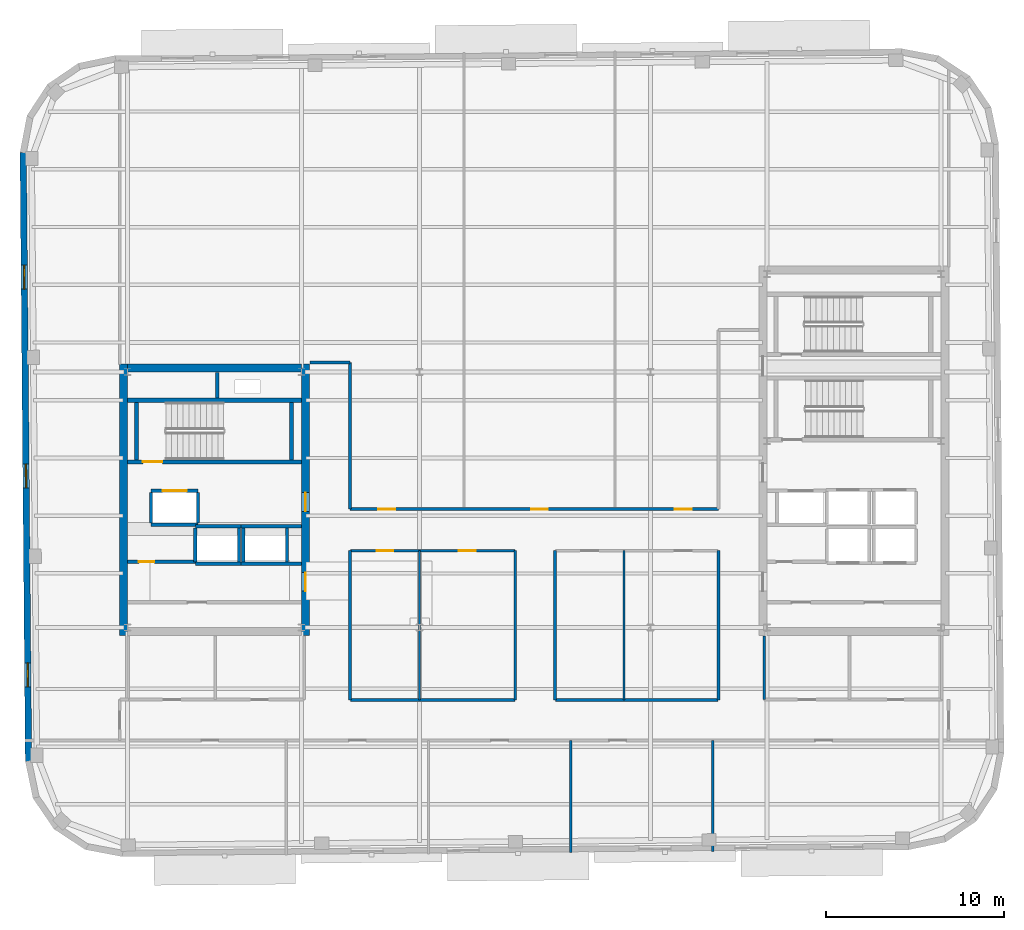
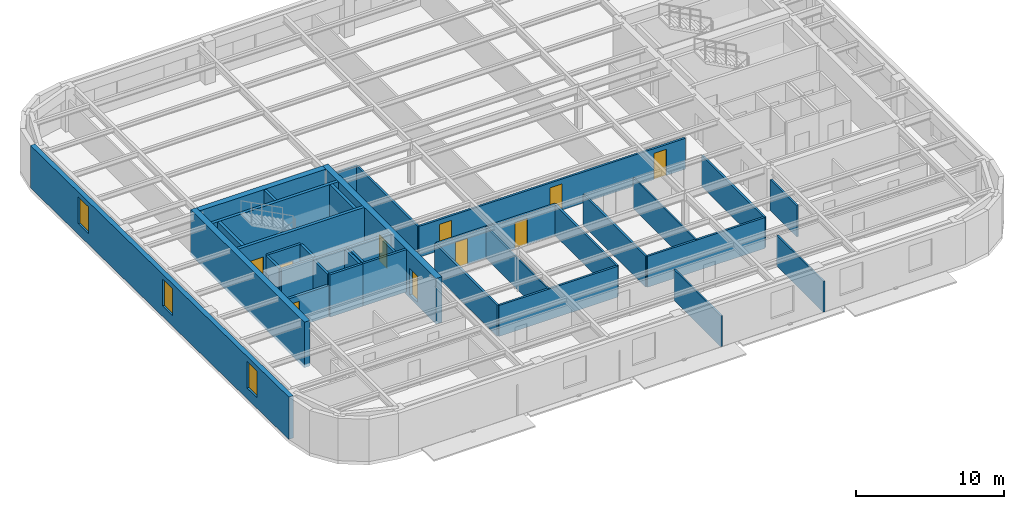
# One storey, part 7 of 13: 37 walls, 10 doors, 3 windows, 13 openings.
"""IFC4 building model written with IfcOpenShell, lengths in metres."""

from ifc_helpers import new_model, si_unit, direction, frame, frame_2d, origin, place, context, subcontext, project, spatial, rectangle, extrude, material, layer, layer_set, type_object, element, fill, save


model = new_model("IFC4")

# Units and contexts
model_context = context("Model", 3, precision=1e-05, world=origin(), true_north=direction((0.0, 1.0)))
body_context = subcontext(model_context, "Body", "Model", "MODEL_VIEW")
ifc_project = project(units=[si_unit("LENGTHUNIT", "METRE"), si_unit("AREAUNIT", "SQUARE_METRE"), si_unit("VOLUMEUNIT", "CUBIC_METRE"), si_unit("PLANEANGLEUNIT", "RADIAN"), si_unit("MASSUNIT", "GRAM", prefix="KILO")], contexts=[model_context])

# Site, building, storey
site_placement = place(None, origin())
site = spatial("IfcSite", under=ifc_project, at=site_placement, CompositionType="ELEMENT")
building_placement = place(site_placement, origin())
building = spatial("IfcBuilding", under=site, at=building_placement, Name="Kolvaren Arena Tower", CompositionType="ELEMENT")
storey_placement = place(building_placement, frame((0.0, 0.0, 286.14990234375)))
storey = spatial("IfcBuildingStorey", under=building, at=storey_placement, Name="L70", CompositionType="ELEMENT", Elevation=286.14990234375)

# Wall, openings, doors
ifc_material_1 = material(Name="Gypsum board acoustic assembly", Category="gypsum")
ifc_layer_1 = layer(ifc_material_1, 0.159912109375)
ifc_layer_set_1 = layer_set([ifc_layer_1], Name="Gypsum board acoustic assembly")
wall_type_1 = type_object("IfcWallType", Name="CORR-160", PredefinedType="PARTITIONING", material=ifc_layer_set_1)
wall_1_placement = place(storey_placement, frame((27.080078125, 26.1201171875, 0.0), z_axis=(0.0, 0.0, 1.0), x_axis=(1.0, 0.0, 0.0)))
wall_1 = element("IfcWall", 1, at=wall_1_placement, inside=storey, type_object=wall_type_1, Name="Interior Partition Wall (L70)", PredefinedType="PARTITIONING", context=body_context, shape_type="SweptSolid", body=[
    extrude(rectangle(XDim=20.739990234375, YDim=0.159912109375, at=frame_2d((10.3701171875, 0.0))), origin(), (0.0, 0.0, 1.0), 2.5400390625),
])
opening_1_placement = place(wall_1_placement, frame((1.594970703125, 0.0, 0.0)))
opening_1 = element("IfcOpeningElement", 2, at=opening_1_placement, cuts=wall_1, Name="Opening D05", PredefinedType="OPENING", context=body_context, shape_type="SweptSolid", body=[
    extrude(rectangle(XDim=0.949951171875, YDim=2.14990234375, at=frame_2d((0.47509765625, 1.074951171875))), frame((0.0, 0.08984375, 0.0), z_axis=(0.0, -1.0, 0.0), x_axis=(1.0, 0.0, 0.0)), (0.0, 0.0, 1.0), 0.179931640625),
])
opening_2_placement = place(wall_1_placement, frame((10.195068359375, 0.0, 0.0)))
opening_2 = element("IfcOpeningElement", 3, at=opening_2_placement, cuts=wall_1, Name="Opening D05", PredefinedType="OPENING", context=body_context, shape_type="SweptSolid", body=[
    extrude(rectangle(XDim=0.949951171875, YDim=2.14990234375, at=frame_2d((0.47509765625, 1.074951171875))), frame((0.0, 0.08984375, 0.0), z_axis=(0.0, -1.0, 0.0), x_axis=(1.0, 0.0, 0.0)), (0.0, 0.0, 1.0), 0.179931640625),
])
opening_3_placement = place(wall_1_placement, frame((18.294921875, 0.0, 0.0)))
opening_3 = element("IfcOpeningElement", 4, at=opening_3_placement, cuts=wall_1, Name="Opening D05", PredefinedType="OPENING", context=body_context, shape_type="SweptSolid", body=[
    extrude(rectangle(XDim=0.949951171875, YDim=2.14990234375, at=frame_2d((0.47509765625, 1.074951171875))), frame((0.0, 0.08984375, 0.0), z_axis=(0.0, -1.0, 0.0), x_axis=(1.0, 0.0, 0.0)), (0.0, 0.0, 1.0), 0.179931640625),
])
ifc_material_2 = material(Name="Solid-core oak acoustic office door", Category="wood")
door_type_1 = type_object("IfcDoorType", Name="DOOR-OF-095", OperationType="NOTDEFINED", PredefinedType="DOOR", material=ifc_material_2)
door_1_placement = place(opening_1_placement, origin())
door_1 = element("IfcDoor", 5, at=door_1_placement, inside=storey, type_object=door_type_1, Name="Open Plan Office Door (L70)", OperationType="SINGLE_SWING_LEFT", OverallHeight=2.14990234375, OverallWidth=0.949951171875, PredefinedType="DOOR", context=body_context, shape_type="SweptSolid", body=[
    extrude(rectangle(XDim=0.949951171875, YDim=2.14990234375, at=frame_2d((0.47509765625, 1.074951171875))), frame((0.0, 0.02490234375, 0.0), z_axis=(0.0, -1.0, 0.0), x_axis=(1.0, 0.0, 0.0)), (0.0, 0.0, 1.0), 0.050048828125),
])
fill(opening_1, door_1)
door_2_placement = place(opening_2_placement, origin())
door_2 = element("IfcDoor", 6, at=door_2_placement, inside=storey, type_object=door_type_1, Name="Wellness Room Door (L70)", OperationType="SINGLE_SWING_RIGHT", OverallHeight=2.14990234375, OverallWidth=0.949951171875, PredefinedType="DOOR", context=body_context, shape_type="SweptSolid", body=[
    extrude(rectangle(XDim=0.949951171875, YDim=2.14990234375, at=frame_2d((0.47509765625, 1.074951171875))), frame((0.0, 0.02490234375, 0.0), z_axis=(0.0, -1.0, 0.0), x_axis=(1.0, 0.0, 0.0)), (0.0, 0.0, 1.0), 0.050048828125),
])
fill(opening_2, door_2)
door_3_placement = place(opening_3_placement, origin())
door_3 = element("IfcDoor", 7, at=door_3_placement, inside=storey, type_object=door_type_1, Name="Technical Engineering Office Door (L70)", OperationType="SINGLE_SWING_LEFT", OverallHeight=2.14990234375, OverallWidth=0.949951171875, PredefinedType="DOOR", context=body_context, shape_type="SweptSolid", body=[
    extrude(rectangle(XDim=0.949951171875, YDim=2.14990234375, at=frame_2d((0.47509765625, 1.074951171875))), frame((0.0, 0.02490234375, 0.0), z_axis=(0.0, -1.0, 0.0), x_axis=(1.0, 0.0, 0.0)), (0.0, 0.0, 1.0), 0.050048828125),
])
fill(opening_3, door_3)

# Walls
wall_2_placement = place(storey_placement, frame((27.080078125, 26.1201171875, 0.0), z_axis=(0.0, 0.0, 1.0), x_axis=(0.0, 1.0, 0.0)))
element("IfcWall", 8, at=wall_2_placement, inside=storey, type_object=wall_type_1, Name="Interior Partition Wall (L70)", PredefinedType="PARTITIONING", context=body_context, shape_type="SweptSolid", body=[
    extrude(rectangle(XDim=8.259765625, YDim=0.159912109375, at=frame_2d((4.1298828125, 0.0))), origin(), (0.0, 0.0, 1.0), 2.5400390625),
])
wall_3_placement = place(storey_placement, frame((24.820068359375, 34.3798828125, 0.0), z_axis=(0.0, 0.0, 1.0), x_axis=(1.0, 0.0, 0.0)))
element("IfcWall", 9, at=wall_3_placement, inside=storey, type_object=wall_type_1, Name="Interior Partition Wall (L70)", PredefinedType="PARTITIONING", context=body_context, shape_type="SweptSolid", body=[
    extrude(rectangle(XDim=2.260009765625, YDim=0.159912109375, at=frame_2d((1.1298828125, 0.0))), origin(), (0.0, 0.0, 1.0), 2.5400390625),
])

# Wall, openings, doors
wall_4_placement = place(storey_placement, frame((27.10009765625, 23.780029296875, 0.0), z_axis=(0.0, 0.0, 1.0), x_axis=(1.0, 0.0, 0.0)))
wall_4 = element("IfcWall", 10, at=wall_4_placement, inside=storey, type_object=wall_type_1, Name="Interior Partition Wall (L70)", PredefinedType="PARTITIONING", context=body_context, shape_type="SweptSolid", body=[
    extrude(rectangle(XDim=9.260009765625, YDim=0.159912109375, at=frame_2d((4.6298828125, 0.0))), origin(), (0.0, 0.0, 1.0), 2.5400390625),
])
opening_4_placement = place(wall_4_placement, frame((1.47509765625, 0.0, 0.0)))
opening_4 = element("IfcOpeningElement", 11, at=opening_4_placement, cuts=wall_4, Name="Opening D05", PredefinedType="OPENING", context=body_context, shape_type="SweptSolid", body=[
    extrude(rectangle(XDim=0.949951171875, YDim=2.14990234375, at=frame_2d((0.47509765625, 1.074951171875))), frame((0.0, 0.08984375, 0.0), z_axis=(0.0, -1.0, 0.0), x_axis=(1.0, 0.0, 0.0)), (0.0, 0.0, 1.0), 0.179931640625),
])
opening_5_placement = place(wall_4_placement, frame((6.10498046875, 0.0, 0.0)))
opening_5 = element("IfcOpeningElement", 12, at=opening_5_placement, cuts=wall_4, Name="Opening D05", PredefinedType="OPENING", context=body_context, shape_type="SweptSolid", body=[
    extrude(rectangle(XDim=0.949951171875, YDim=2.14990234375, at=frame_2d((0.47509765625, 1.074951171875))), frame((0.0, 0.08984375, 0.0), z_axis=(0.0, -1.0, 0.0), x_axis=(1.0, 0.0, 0.0)), (0.0, 0.0, 1.0), 0.179931640625),
])
door_4_placement = place(opening_4_placement, origin())
door_4 = element("IfcDoor", 13, at=door_4_placement, inside=storey, type_object=door_type_1, Name="Open Plan Office Door (L70)", OperationType="SINGLE_SWING_RIGHT", OverallHeight=2.14990234375, OverallWidth=0.949951171875, PredefinedType="DOOR", context=body_context, shape_type="SweptSolid", body=[
    extrude(rectangle(XDim=0.949951171875, YDim=2.14990234375, at=frame_2d((0.47509765625, 1.074951171875))), frame((0.0, 0.02490234375, 0.0), z_axis=(0.0, -1.0, 0.0), x_axis=(1.0, 0.0, 0.0)), (0.0, 0.0, 1.0), 0.050048828125),
])
fill(opening_4, door_4)
door_5_placement = place(opening_5_placement, origin())
door_5 = element("IfcDoor", 14, at=door_5_placement, inside=storey, type_object=door_type_1, Name="Boardroom Door (L70)", OperationType="SINGLE_SWING_LEFT", OverallHeight=2.14990234375, OverallWidth=0.949951171875, PredefinedType="DOOR", context=body_context, shape_type="SweptSolid", body=[
    extrude(rectangle(XDim=0.949951171875, YDim=2.14990234375, at=frame_2d((0.47509765625, 1.074951171875))), frame((0.0, 0.02490234375, 0.0), z_axis=(0.0, -1.0, 0.0), x_axis=(1.0, 0.0, 0.0)), (0.0, 0.0, 1.0), 0.050048828125),
])
fill(opening_5, door_5)

# Walls
wall_5_placement = place(storey_placement, frame((27.10009765625, 15.3798828125, 0.0), z_axis=(0.0, 0.0, 1.0), x_axis=(1.0, 0.0, 0.0)))
element("IfcWall", 15, at=wall_5_placement, inside=storey, type_object=wall_type_1, Name="Interior Partition Wall (L70)", PredefinedType="PARTITIONING", context=body_context, shape_type="SweptSolid", body=[
    extrude(rectangle(XDim=9.260009765625, YDim=0.159912109375, at=frame_2d((4.6298828125, 0.0))), origin(), (0.0, 0.0, 1.0), 2.5400390625),
])
wall_6_placement = place(storey_placement, frame((38.639892578125, 15.3798828125, 0.0), z_axis=(0.0, 0.0, 1.0), x_axis=(1.0, 0.0, 0.0)))
element("IfcWall", 16, at=wall_6_placement, inside=storey, type_object=wall_type_1, Name="Interior Partition Wall (L70)", PredefinedType="PARTITIONING", context=body_context, shape_type="SweptSolid", body=[
    extrude(rectangle(XDim=9.16015625, YDim=0.159912109375, at=frame_2d((4.580078125, 0.0))), origin(), (0.0, 0.0, 1.0), 2.5400390625),
])
for number, where, z_axis, x_axis, name in (
    (17, (36.3798828125, 15.3798828125, 0.0), (0.0, 0.0, 1.0), (0.0, 1.0, 0.0), "Interior Partition Wall (L70)"),
    (18, (38.6201171875, 15.3798828125, 0.0), (0.0, 0.0, 1.0), (0.0, 1.0, 0.0), "Interior Partition Wall (L70)"),
    (19, (27.080078125, 15.3798828125, 0.0), (0.0, 0.0, 1.0), (0.0, 1.0, 0.0), "Interior Partition Wall (L70)"),
    (20, (47.820068359375, 15.3798828125, 0.0), (0.0, 0.0, 1.0), (0.0, 1.0, 0.0), "Interior Partition Wall (L70)"),
):
    element("IfcWall", number, at=place(storey_placement, frame(where, z_axis=z_axis, x_axis=x_axis)), inside=storey, type_object=wall_type_1, Name=name, PredefinedType="PARTITIONING", context=body_context, shape_type="SweptSolid", body=[
        extrude(rectangle(XDim=8.400146484375, YDim=0.159912109375, at=frame_2d((4.2001953125, 0.0))), origin(), (0.0, 0.0, 1.0), 2.5400390625),
    ])
ifc_material_3 = material(Name="Concrete 55 MPa", Category="concrete")
ifc_layer_2 = layer(ifc_material_3, 0.449951171875)
ifc_layer_set_2 = layer_set([ifc_layer_2], Name="Concrete 55 MPa")
wall_type_2 = type_object("IfcWallType", Name="CWALL-450", PredefinedType="SHEAR", material=ifc_layer_set_2)
wall_7_placement = place(storey_placement, frame((14.324951171875, 19.0, -0.27001953125), z_axis=(0.0, 0.0, 1.0), x_axis=(0.0, 1.0, 0.0)))
element("IfcWall", 21, at=wall_7_placement, inside=storey, type_object=wall_type_2, Name="Core Shear Wall WC-WEST (L70)", PredefinedType="SHEAR", context=body_context, shape_type="SweptSolid", body=[
    extrude(rectangle(XDim=15.300048828125, YDim=0.449951171875, at=frame_2d((7.64990234375, 0.0))), origin(), (0.0, 0.0, 1.0), 3.75),
])

# Wall, openings, doors
wall_8_placement = place(storey_placement, frame((24.574951171875, 19.0, -0.27001953125), z_axis=(0.0, 0.0, 1.0), x_axis=(0.0, 1.0, 0.0)))
wall_8 = element("IfcWall", 22, at=wall_8_placement, inside=storey, type_object=wall_type_2, Name="Core Shear Wall WC-EAST (L70)", PredefinedType="SHEAR", context=body_context, shape_type="SweptSolid", body=[
    extrude(rectangle(XDim=15.300048828125, YDim=0.449951171875, at=frame_2d((7.64990234375, 0.0))), origin(), (0.0, 0.0, 1.0), 3.75),
])
opening_6_placement = place(wall_8_placement, frame((2.5, 0.0, 0.27001953125)))
opening_6 = element("IfcOpeningElement", 23, at=opening_6_placement, cuts=wall_8, Name="Opening D04", PredefinedType="OPENING", context=body_context, shape_type="SweptSolid", body=[
    extrude(rectangle(XDim=1.050048828125, YDim=2.14990234375, at=frame_2d((0.52490234375, 1.074951171875))), frame((0.0, 0.23486328125, 0.0), z_axis=(0.0, -1.0, 0.0), x_axis=(1.0, 0.0, 0.0)), (0.0, 0.0, 1.0), 0.469970703125),
])
opening_7_placement = place(wall_8_placement, frame((7.0, 0.0, 0.27001953125)))
opening_7 = element("IfcOpeningElement", 24, at=opening_7_placement, cuts=wall_8, Name="Opening D04", PredefinedType="OPENING", context=body_context, shape_type="SweptSolid", body=[
    extrude(rectangle(XDim=1.050048828125, YDim=2.14990234375, at=frame_2d((0.52490234375, 1.074951171875))), frame((0.0, 0.23486328125, 0.0), z_axis=(0.0, -1.0, 0.0), x_axis=(1.0, 0.0, 0.0)), (0.0, 0.0, 1.0), 0.469970703125),
])
ifc_material_4 = material(Name="Fire-rated steel lobby door", Category="steel")
door_type_2 = type_object("IfcDoorType", Name="DOOR-FF-105", OperationType="NOTDEFINED", PredefinedType="DOOR", material=ifc_material_4)
door_6_placement = place(opening_6_placement, origin())
door_6 = element("IfcDoor", 25, at=door_6_placement, inside=storey, type_object=door_type_2, Name="West Lift Lobby Fire Door (L70)", OperationType="SINGLE_SWING_LEFT", OverallHeight=2.14990234375, OverallWidth=1.050048828125, PredefinedType="DOOR", context=body_context, shape_type="SweptSolid", body=[
    extrude(rectangle(XDim=1.050048828125, YDim=2.14990234375, at=frame_2d((0.52490234375, 1.074951171875))), frame((0.0, 0.02490234375, 0.0), z_axis=(0.0, -1.0, 0.0), x_axis=(1.0, 0.0, 0.0)), (0.0, 0.0, 1.0), 0.050048828125),
])
fill(opening_6, door_6)
door_7_placement = place(opening_7_placement, origin())
door_7 = element("IfcDoor", 26, at=door_7_placement, inside=storey, type_object=door_type_2, Name="West Firefighter Vestibule Door (L70)", OperationType="SINGLE_SWING_RIGHT", OverallHeight=2.14990234375, OverallWidth=1.050048828125, PredefinedType="DOOR", context=body_context, shape_type="SweptSolid", body=[
    extrude(rectangle(XDim=1.050048828125, YDim=2.14990234375, at=frame_2d((0.52490234375, 1.074951171875))), frame((0.0, 0.02490234375, 0.0), z_axis=(0.0, -1.0, 0.0), x_axis=(1.0, 0.0, 0.0)), (0.0, 0.0, 1.0), 0.050048828125),
])
fill(opening_7, door_7)

# Wall
wall_9_placement = place(storey_placement, frame((14.550048828125, 34.074951171875, -0.27001953125), z_axis=(0.0, 0.0, 1.0), x_axis=(1.0, 0.0, 0.0)))
element("IfcWall", 27, at=wall_9_placement, inside=storey, type_object=wall_type_2, Name="Core Shear Wall WC-NORTH (L70)", PredefinedType="SHEAR", context=body_context, shape_type="SweptSolid", body=[
    extrude(rectangle(XDim=9.800048828125, YDim=0.449951171875, at=frame_2d((4.89990234375, 0.0))), origin(), (0.0, 0.0, 1.0), 3.75),
])

# Wall, openings, windows
ifc_material_5 = material(Name="Precast concrete C50/60", Category="concrete")
ifc_layer_3 = layer(ifc_material_5, 0.360107421875)
ifc_layer_set_3 = layer_set([ifc_layer_3], Name="Precast concrete C50/60")
wall_type_3 = type_object("IfcWallType", Name="EXT-PIER2", PredefinedType="SOLIDWALL", material=ifc_layer_set_3)
wall_10_placement = place(storey_placement, frame((8.980712890625, 11.911865234375, 0.0), z_axis=(0.0, 0.0, 1.0), x_axis=(-0.008726453825, 0.999961923777, 0.0)))
wall_10 = element("IfcWall", 28, at=wall_10_placement, inside=storey, type_object=wall_type_3, Name="Exterior Precast Masonry-Frame Wall (L70)", PredefinedType="SOLIDWALL", context=body_context, shape_type="SweptSolid", body=[
    extrude(rectangle(XDim=34.2998046875, YDim=0.360107421875, at=frame_2d((17.14990234375, 0.0))), origin(), (0.0, 0.0, 1.0), 3.47998046875),
])
opening_8_placement = place(wall_10_placement, frame((4.199951171875, 0.0, 0.8798828125)))
opening_8 = element("IfcOpeningElement", 29, at=opening_8_placement, cuts=wall_10, Name="Opening W04", PredefinedType="OPENING", context=body_context, shape_type="SweptSolid", body=[
    extrude(rectangle(XDim=1.35009765625, YDim=2.199951171875, at=frame_2d((0.675048828125, 1.10009765625))), frame((0.0, 0.18994140625, 0.0), z_axis=(0.0, -1.0, 0.0), x_axis=(1.0, 0.0, 0.0)), (0.0, 0.0, 1.0), 0.380126953125),
])
opening_9_placement = place(wall_10_placement, frame((15.39990234375, 0.0, 0.8798828125)))
opening_9 = element("IfcOpeningElement", 30, at=opening_9_placement, cuts=wall_10, Name="Opening W04", PredefinedType="OPENING", context=body_context, shape_type="SweptSolid", body=[
    extrude(rectangle(XDim=1.35009765625, YDim=2.199951171875, at=frame_2d((0.675048828125, 1.10009765625))), frame((0.0, 0.18994140625, 0.0), z_axis=(0.0, -1.0, 0.0), x_axis=(1.0, 0.0, 0.0)), (0.0, 0.0, 1.0), 0.380126953125),
])
opening_10_placement = place(wall_10_placement, frame((26.60009765625, 0.0, 0.8798828125)))
opening_10 = element("IfcOpeningElement", 31, at=opening_10_placement, cuts=wall_10, Name="Opening W04", PredefinedType="OPENING", context=body_context, shape_type="SweptSolid", body=[
    extrude(rectangle(XDim=1.35009765625, YDim=2.199951171875, at=frame_2d((0.675048828125, 1.10009765625))), frame((0.0, 0.18994140625, 0.0), z_axis=(0.0, -1.0, 0.0), x_axis=(1.0, 0.0, 0.0)), (0.0, 0.0, 1.0), 0.380126953125),
])
ifc_material_6 = material(Name="Triple-glazed curved-facet corner window", Category="glass")
window_type = type_object("IfcWindowType", Name="WIN-CRN-A", PartitioningType="SINGLE_PANEL", PredefinedType="WINDOW", material=ifc_material_6)
window_1_placement = place(opening_8_placement, origin())
window_1 = element("IfcWindow", 32, at=window_1_placement, inside=storey, type_object=window_type, Name="End-Wall Punched Window (L70)", OverallHeight=2.199951171875, OverallWidth=1.35009765625, PartitioningType="SINGLE_PANEL", PredefinedType="WINDOW", context=body_context, shape_type="SweptSolid", body=[
    extrude(rectangle(XDim=1.35009765625, YDim=2.199951171875, at=frame_2d((0.675048828125, 1.10009765625))), frame((0.0, 0.030029296875, 0.0), z_axis=(0.0, -1.0, 0.0), x_axis=(1.0, 0.0, 0.0)), (0.0, 0.0, 1.0), 0.06005859375),
])
fill(opening_8, window_1)
window_2_placement = place(opening_9_placement, origin())
window_2 = element("IfcWindow", 33, at=window_2_placement, inside=storey, type_object=window_type, Name="End-Wall Punched Window (L70)", OverallHeight=2.199951171875, OverallWidth=1.35009765625, PartitioningType="SINGLE_PANEL", PredefinedType="WINDOW", context=body_context, shape_type="SweptSolid", body=[
    extrude(rectangle(XDim=1.35009765625, YDim=2.199951171875, at=frame_2d((0.675048828125, 1.10009765625))), frame((0.0, 0.030029296875, 0.0), z_axis=(0.0, -1.0, 0.0), x_axis=(1.0, 0.0, 0.0)), (0.0, 0.0, 1.0), 0.06005859375),
])
fill(opening_9, window_2)
window_3_placement = place(opening_10_placement, origin())
window_3 = element("IfcWindow", 34, at=window_3_placement, inside=storey, type_object=window_type, Name="End-Wall Punched Window (L70)", OverallHeight=2.199951171875, OverallWidth=1.35009765625, PartitioningType="SINGLE_PANEL", PredefinedType="WINDOW", context=body_context, shape_type="SweptSolid", body=[
    extrude(rectangle(XDim=1.35009765625, YDim=2.199951171875, at=frame_2d((0.675048828125, 1.10009765625))), frame((0.0, 0.030029296875, 0.0), z_axis=(0.0, -1.0, 0.0), x_axis=(1.0, 0.0, 0.0)), (0.0, 0.0, 1.0), 0.06005859375),
])
fill(opening_10, window_3)

# Wall, opening, door
ifc_material_7 = material(Name="Concrete 40 MPa", Category="concrete")
ifc_layer_4 = layer(ifc_material_7, 0.199951171875)
ifc_layer_set_4 = layer_set([ifc_layer_4], Name="Concrete 40 MPa")
wall_type_4 = type_object("IfcWallType", Name="LOBBY-200", PredefinedType="SOLIDWALL", material=ifc_layer_set_4)
wall_11_placement = place(storey_placement, frame((14.550048828125, 23.159912109375, 0.0), z_axis=(0.0, 0.0, 1.0), x_axis=(1.0, 0.0, 0.0)))
wall_11 = element("IfcWall", 35, at=wall_11_placement, inside=storey, type_object=wall_type_4, Name="Core Shaft Wall (L70)", PredefinedType="SOLIDWALL", context=body_context, shape_type="SweptSolid", body=[
    extrude(rectangle(XDim=3.820068359375, YDim=0.199951171875, at=frame_2d((1.91015625, 0.0))), origin(), (0.0, 0.0, 1.0), 2.5400390625),
])
opening_11_placement = place(wall_11_placement, frame((0.64990234375, 0.0, 0.0)))
opening_11 = element("IfcOpeningElement", 36, at=opening_11_placement, cuts=wall_11, Name="Opening D09", PredefinedType="OPENING", context=body_context, shape_type="SweptSolid", body=[
    extrude(rectangle(XDim=0.860107421875, YDim=2.050048828125, at=frame_2d((0.43017578125, 1.02490234375))), frame((0.0, 0.10986328125, 0.0), z_axis=(0.0, -1.0, 0.0), x_axis=(1.0, 0.0, 0.0)), (0.0, 0.0, 1.0), 0.219970703125),
])
ifc_material_8 = material(Name="Fire-rated steel riser access door", Category="steel")
door_type_3 = type_object("IfcDoorType", Name="DOOR-RS-086", OperationType="NOTDEFINED", PredefinedType="DOOR", material=ifc_material_8)
door_8_placement = place(opening_11_placement, origin())
door_8 = element("IfcDoor", 37, at=door_8_placement, inside=storey, type_object=door_type_3, Name="West Document Archive Riser Door (L70)", OperationType="SINGLE_SWING_RIGHT", OverallHeight=2.050048828125, OverallWidth=0.860107421875, PredefinedType="DOOR", context=body_context, shape_type="SweptSolid", body=[
    extrude(rectangle(XDim=0.860107421875, YDim=2.050048828125, at=frame_2d((0.43017578125, 1.02490234375))), frame((0.0, 0.02490234375, 0.0), z_axis=(0.0, -1.0, 0.0), x_axis=(1.0, 0.0, 0.0)), (0.0, 0.0, 1.0), 0.050048828125),
])
fill(opening_11, door_8)

# Walls
ifc_material_9 = material(Name="Gypsum board partition assembly", Category="gypsum")
ifc_layer_5 = layer(ifc_material_9, 0.114990234375)
ifc_layer_set_5 = layer_set([ifc_layer_5], Name="Gypsum board partition assembly")
wall_type_5 = type_object("IfcWallType", Name="PART-115", PredefinedType="PARTITIONING", material=ifc_layer_set_5)
for number, where, z_axis, x_axis, name in (
    (38, (31.0, 15.3798828125, 0.0), (0.0, 0.0, 1.0), (0.0, 1.0, 0.0), "Interior Partition Wall (L70)"),
    (39, (42.5, 15.3798828125, 0.0), (0.0, 0.0, 1.0), (0.0, 1.0, 0.0), "Interior Partition Wall (L70)"),
):
    element("IfcWall", number, at=place(storey_placement, frame(where, z_axis=z_axis, x_axis=x_axis)), inside=storey, type_object=wall_type_5, Name=name, PredefinedType="PARTITIONING", context=body_context, shape_type="SweptSolid", body=[
        extrude(rectangle(XDim=8.400146484375, YDim=0.114990234375, at=frame_2d((4.2001953125, 0.0))), origin(), (0.0, 0.0, 1.0), 2.5400390625),
    ])
ifc_layer_6 = layer(ifc_material_9, 0.135009765625)
ifc_layer_set_6 = layer_set([ifc_layer_6], Name="Gypsum board partition assembly")
wall_type_6 = type_object("IfcWallType", Name="PART-135", PredefinedType="PARTITIONING", material=ifc_layer_set_6)
wall_12_placement = place(storey_placement, frame((39.5, 6.778076171875, 0.0), z_axis=(0.0, 0.0, 1.0), x_axis=(0.0, 1.0, 0.0)))
element("IfcWall", 40, at=wall_12_placement, inside=storey, type_object=wall_type_6, Name="Interior Partition Wall (L70)", PredefinedType="PARTITIONING", context=body_context, shape_type="SweptSolid", body=[
    extrude(rectangle(XDim=6.322021484375, YDim=0.135009765625, at=frame_2d((3.1611328125, 0.0))), origin(), (0.0, 0.0, 1.0), 2.5400390625),
])
wall_13_placement = place(storey_placement, frame((47.5, 6.847900390625, 0.0), z_axis=(0.0, 0.0, 1.0), x_axis=(0.0, 1.0, 0.0)))
element("IfcWall", 41, at=wall_13_placement, inside=storey, type_object=wall_type_6, Name="Interior Partition Wall (L70)", PredefinedType="PARTITIONING", context=body_context, shape_type="SweptSolid", body=[
    extrude(rectangle(XDim=6.252197265625, YDim=0.135009765625, at=frame_2d((3.1259765625, 0.0))), origin(), (0.0, 0.0, 1.0), 2.5400390625),
])

# Wall, opening, door
ifc_material_10 = material(Name="Concrete 45 MPa", Category="concrete")
ifc_layer_7 = layer(ifc_material_10, 0.25)
ifc_layer_set_7 = layer_set([ifc_layer_7], Name="Concrete 45 MPa")
wall_type_7 = type_object("IfcWallType", Name="SHAFT-250", PredefinedType="SOLIDWALL", material=ifc_layer_set_7)
wall_14_placement = place(storey_placement, frame((24.35009765625, 28.780029296875, 0.0), z_axis=(0.0, 0.0, 1.0), x_axis=(-1.0, 0.0, 0.0)))
wall_14 = element("IfcWall", 42, at=wall_14_placement, inside=storey, type_object=wall_type_7, Name="Core Shaft Wall (L70)", PredefinedType="SOLIDWALL", context=body_context, shape_type="SweptSolid", body=[
    extrude(rectangle(XDim=9.800048828125, YDim=0.239990234375, at=frame_2d((4.89990234375, 0.0))), origin(), (0.0, 0.0, 1.0), 3.47998046875),
])
opening_12_placement = place(wall_14_placement, frame((7.830078125, 0.0, 0.0)))
opening_12 = element("IfcOpeningElement", 43, at=opening_12_placement, cuts=wall_14, Name="Opening D03", PredefinedType="OPENING", context=body_context, shape_type="SweptSolid", body=[
    extrude(rectangle(XDim=1.10009765625, YDim=2.14990234375, at=frame_2d((0.550048828125, 1.074951171875))), frame((0.0, 0.1298828125, 0.0), z_axis=(0.0, -1.0, 0.0), x_axis=(1.0, 0.0, 0.0)), (0.0, 0.0, 1.0), 0.260009765625),
])
ifc_material_11 = material(Name="Fire-rated steel exit stair door", Category="steel")
door_type_4 = type_object("IfcDoorType", Name="DOOR-ST-110", OperationType="NOTDEFINED", PredefinedType="DOOR", material=ifc_material_11)
door_9_placement = place(opening_12_placement, origin())
door_9 = element("IfcDoor", 44, at=door_9_placement, inside=storey, type_object=door_type_4, Name="Stair ST-W1 Fire Door (L70)", OperationType="SINGLE_SWING_RIGHT", OverallHeight=2.14990234375, OverallWidth=1.10009765625, PredefinedType="DOOR", context=body_context, shape_type="SweptSolid", body=[
    extrude(rectangle(XDim=1.10009765625, YDim=2.14990234375, at=frame_2d((0.550048828125, 1.074951171875))), frame((0.0, 0.02490234375, 0.0), z_axis=(0.0, -1.0, 0.0), x_axis=(1.0, 0.0, 0.0)), (0.0, 0.0, 1.0), 0.050048828125),
])
fill(opening_12, door_9)

# Walls
wall_15_placement = place(storey_placement, frame((14.550048828125, 32.25, 0.0), z_axis=(0.0, 0.0, 1.0), x_axis=(1.0, 0.0, 0.0)))
element("IfcWall", 45, at=wall_15_placement, inside=storey, type_object=wall_type_7, Name="Core Shaft Wall (L70)", PredefinedType="SOLIDWALL", context=body_context, shape_type="SweptSolid", body=[
    extrude(rectangle(XDim=9.800048828125, YDim=0.239990234375, at=frame_2d((4.89990234375, 0.0))), origin(), (0.0, 0.0, 1.0), 3.47998046875),
])
for number, where, z_axis, x_axis, name in (
    (46, (15.06005859375, 28.89990234375, 0.0), (0.0, 0.0, 1.0), (0.0, 1.0, 0.0), "Core Shaft Wall (L70)"),
    (47, (23.780029296875, 28.89990234375, 0.0), (0.0, 0.0, 1.0), (0.0, 1.0, 0.0), "Core Shaft Wall (L70)"),
):
    element("IfcWall", number, at=place(storey_placement, frame(where, z_axis=z_axis, x_axis=x_axis)), inside=storey, type_object=wall_type_7, Name=name, PredefinedType="SOLIDWALL", context=body_context, shape_type="SweptSolid", body=[
        extrude(rectangle(XDim=3.22998046875, YDim=0.239990234375, at=frame_2d((1.614990234375, 0.0))), origin(), (0.0, 0.0, 1.0), 3.47998046875),
    ])
wall_16_placement = place(storey_placement, frame((19.60009765625, 32.3701171875, 0.0), z_axis=(0.0, 0.0, 1.0), x_axis=(0.0, 1.0, 0.0)))
element("IfcWall", 48, at=wall_16_placement, inside=storey, type_object=wall_type_7, Name="Core Shaft Wall (L70)", PredefinedType="SOLIDWALL", context=body_context, shape_type="SweptSolid", body=[
    extrude(rectangle(XDim=1.429931640625, YDim=0.199951171875, at=frame_2d((0.71484375, 0.0))), origin(), (0.0, 0.0, 1.0), 3.47998046875),
])
for number, where, z_axis, x_axis, name in (
    (49, (18.3701171875, 25.155029296875, 0.0), (0.0, 0.0, 1.0), (1.0, 0.0, 0.0), "Core Shaft Wall (L70)"),
    (50, (18.3701171875, 23.044921875, 0.0), (0.0, 0.0, 1.0), (1.0, 0.0, 0.0), "Core Shaft Wall (L70)"),
):
    element("IfcWall", number, at=place(storey_placement, frame(where, z_axis=z_axis, x_axis=x_axis)), inside=storey, type_object=wall_type_7, Name=name, PredefinedType="SOLIDWALL", context=body_context, shape_type="SweptSolid", body=[
        extrude(rectangle(XDim=2.579833984375, YDim=0.179931640625, at=frame_2d((1.2900390625, 0.0))), origin(), (0.0, 0.0, 1.0), 3.47998046875),
    ])
for number, where, z_axis, x_axis, name in (
    (51, (18.3701171875, 23.135009765625, 0.0), (0.0, 0.0, 1.0), (0.0, 1.0, 0.0), "Core Shaft Wall (L70)"),
    (52, (20.830078125, 23.135009765625, 0.0), (0.0, 0.0, 1.0), (0.0, 1.0, 0.0), "Core Shaft Wall (L70)"),
):
    element("IfcWall", number, at=place(storey_placement, frame(where, z_axis=z_axis, x_axis=x_axis)), inside=storey, type_object=wall_type_7, Name=name, PredefinedType="SOLIDWALL", context=body_context, shape_type="SweptSolid", body=[
        extrude(rectangle(XDim=1.929931640625, YDim=0.179931640625, at=frame_2d((0.96484375, 0.0))), origin(), (0.0, 0.0, 1.0), 3.47998046875),
    ])
for number, where, z_axis, x_axis, name in (
    (53, (20.949951171875, 25.155029296875, 0.0), (0.0, 0.0, 1.0), (1.0, 0.0, 0.0), "Core Shaft Wall (L70)"),
    (54, (20.949951171875, 23.044921875, 0.0), (0.0, 0.0, 1.0), (1.0, 0.0, 0.0), "Core Shaft Wall (L70)"),
):
    element("IfcWall", number, at=place(storey_placement, frame(where, z_axis=z_axis, x_axis=x_axis)), inside=storey, type_object=wall_type_7, Name=name, PredefinedType="SOLIDWALL", context=body_context, shape_type="SweptSolid", body=[
        extrude(rectangle(XDim=3.400146484375, YDim=0.179931640625, at=frame_2d((1.7001953125, 0.0))), origin(), (0.0, 0.0, 1.0), 3.47998046875),
    ])
for number, where, z_axis, x_axis, name in (
    (55, (21.070068359375, 23.135009765625, 0.0), (0.0, 0.0, 1.0), (0.0, 1.0, 0.0), "Core Shaft Wall (L70)"),
    (56, (23.530029296875, 23.135009765625, 0.0), (0.0, 0.0, 1.0), (0.0, 1.0, 0.0), "Core Shaft Wall (L70)"),
):
    element("IfcWall", number, at=place(storey_placement, frame(where, z_axis=z_axis, x_axis=x_axis)), inside=storey, type_object=wall_type_7, Name=name, PredefinedType="SOLIDWALL", context=body_context, shape_type="SweptSolid", body=[
        extrude(rectangle(XDim=1.929931640625, YDim=0.179931640625, at=frame_2d((0.96484375, 0.0))), origin(), (0.0, 0.0, 1.0), 3.47998046875),
    ])

# Wall, opening, door
wall_17_placement = place(storey_placement, frame((15.8701171875, 27.155029296875, 0.0), z_axis=(0.0, 0.0, 1.0), x_axis=(1.0, 0.0, 0.0)))
wall_17 = element("IfcWall", 57, at=wall_17_placement, inside=storey, type_object=wall_type_7, Name="Core Shaft Wall (L70)", PredefinedType="SOLIDWALL", context=body_context, shape_type="SweptSolid", body=[
    extrude(rectangle(XDim=2.659912109375, YDim=0.179931640625, at=frame_2d((1.330078125, 0.0))), origin(), (0.0, 0.0, 1.0), 3.47998046875),
])
opening_13_placement = place(wall_17_placement, frame((0.655029296875, 0.0, 0.0)))
opening_13 = element("IfcOpeningElement", 58, at=opening_13_placement, cuts=wall_17, Name="Opening LD2", PredefinedType="OPENING", context=body_context, shape_type="SweptSolid", body=[
    extrude(rectangle(XDim=1.35009765625, YDim=2.300048828125, at=frame_2d((0.675048828125, 1.14990234375))), frame((0.0, 0.099853515625, 0.0), z_axis=(0.0, -1.0, 0.0), x_axis=(1.0, 0.0, 0.0)), (0.0, 0.0, 1.0), 0.199951171875),
])
ifc_material_12 = material(Name="Stainless steel firefighter lift landing door", Category="steel")
door_type_5 = type_object("IfcDoorType", Name="DOOR-LD-135", OperationType="DOUBLE_DOOR_SLIDING", PredefinedType="DOOR", material=ifc_material_12)
door_10_placement = place(opening_13_placement, origin())
door_10 = element("IfcDoor", 59, at=door_10_placement, inside=storey, type_object=door_type_5, Name="Firefighter Lift FF-W1 Landing Door (L70)", OperationType="DOUBLE_DOOR_SLIDING", OverallHeight=2.300048828125, OverallWidth=1.35009765625, PredefinedType="DOOR", context=body_context, shape_type="SweptSolid", body=[
    extrude(rectangle(XDim=1.35009765625, YDim=2.300048828125, at=frame_2d((0.675048828125, 1.14990234375))), frame((0.0, 0.02490234375, 0.0), z_axis=(0.0, -1.0, 0.0), x_axis=(1.0, 0.0, 0.0)), (0.0, 0.0, 1.0), 0.050048828125),
])
fill(opening_13, door_10)

# Walls
wall_18_placement = place(storey_placement, frame((15.8701171875, 25.2451171875, 0.0), z_axis=(0.0, 0.0, 1.0), x_axis=(1.0, 0.0, 0.0)))
element("IfcWall", 60, at=wall_18_placement, inside=storey, type_object=wall_type_7, Name="Core Shaft Wall (L70)", PredefinedType="SOLIDWALL", context=body_context, shape_type="SweptSolid", body=[
    extrude(rectangle(XDim=2.659912109375, YDim=0.179931640625, at=frame_2d((1.330078125, 0.0))), origin(), (0.0, 0.0, 1.0), 3.47998046875),
])
for number, where, z_axis, x_axis, name in (
    (61, (15.8701171875, 25.3349609375, 0.0), (0.0, 0.0, 1.0), (0.0, 1.0, 0.0), "Core Shaft Wall (L70)"),
    (62, (18.530029296875, 25.3349609375, 0.0), (0.0, 0.0, 1.0), (0.0, 1.0, 0.0), "Core Shaft Wall (L70)"),
):
    element("IfcWall", number, at=place(storey_placement, frame(where, z_axis=z_axis, x_axis=x_axis)), inside=storey, type_object=wall_type_7, Name=name, PredefinedType="SOLIDWALL", context=body_context, shape_type="SweptSolid", body=[
        extrude(rectangle(XDim=1.72998046875, YDim=0.179931640625, at=frame_2d((0.864990234375, 0.0))), origin(), (0.0, 0.0, 1.0), 3.47998046875),
    ])
ifc_material_13 = material(Name="Moisture-resistant gypsum assembly", Category="gypsum")
ifc_layer_8 = layer(ifc_material_13, 0.14990234375)
ifc_layer_set_8 = layer_set([ifc_layer_8], Name="Moisture-resistant gypsum assembly")
wall_type_8 = type_object("IfcWallType", Name="WETW-150", PredefinedType="PARTITIONING", material=ifc_layer_set_8)
wall_19_placement = place(storey_placement, frame((50.39990234375, 15.39990234375, 0.0), z_axis=(0.0, 0.0, 1.0), x_axis=(0.0, 1.0, 0.0)))
element("IfcWall", 63, at=wall_19_placement, inside=storey, type_object=wall_type_8, Name="Interior Partition Wall (L70)", PredefinedType="PARTITIONING", context=body_context, shape_type="SweptSolid", body=[
    extrude(rectangle(XDim=3.580078125, YDim=0.14990234375, at=frame_2d((1.7900390625, 0.0))), origin(), (0.0, 0.0, 1.0), 2.5400390625),
])

save(model, "model.ifc")
